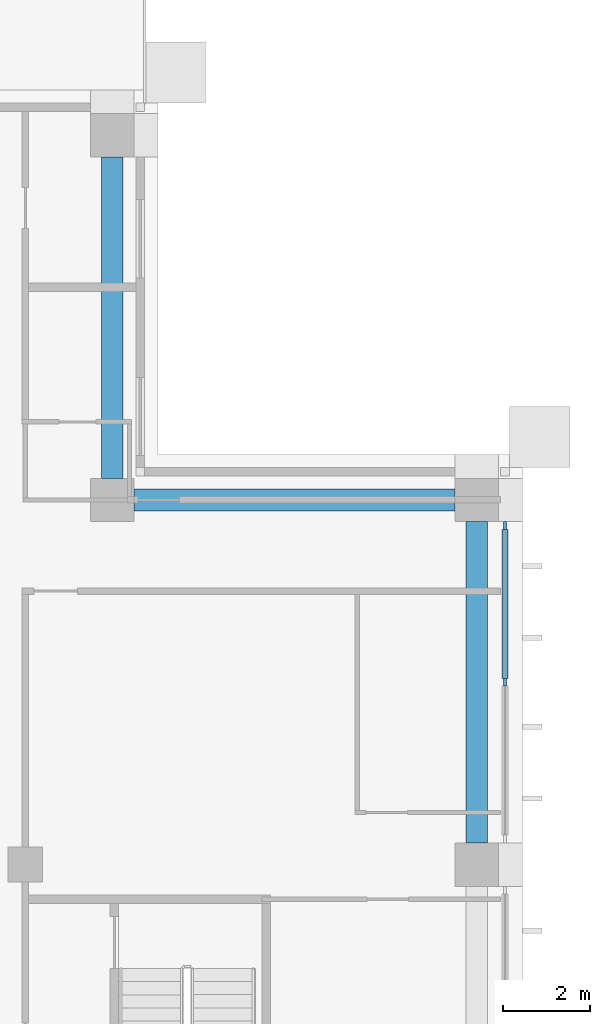
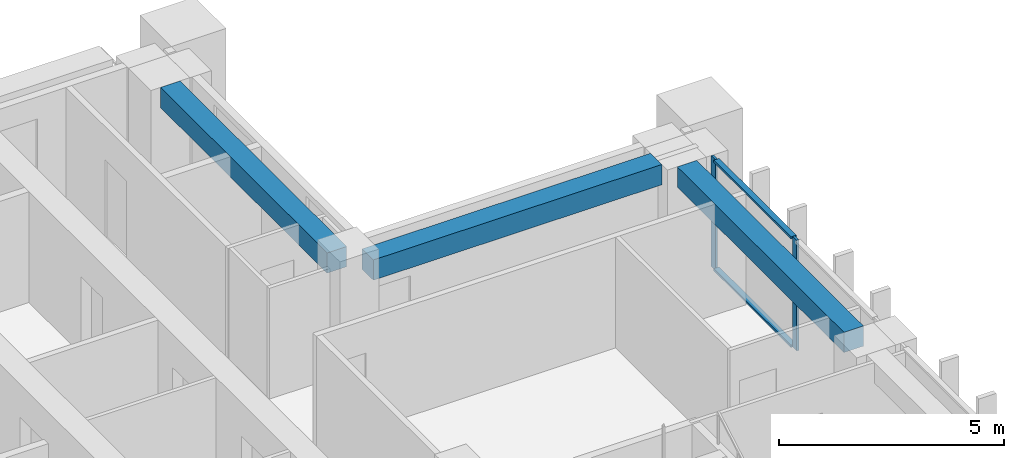
# One storey, part 7 of 19: 4 members, 3 beams, 1 element without a shape of its own.
"""IFC4 building model written with IfcOpenShell, lengths in metres."""

from ifc_helpers import new_model, si_unit, direction, frame, origin, origin_2d, place, context, subcontext, project, spatial, rectangle, extrude, material, material_profile, profile_set, type_object, element, aggregate, save


model = new_model("IFC4")

# Units and contexts
model_context = context("Model", 3, precision=1e-05, world=origin(), true_north=direction((0.0, 1.0)))
body_context = subcontext(model_context, "Body", "Model", "MODEL_VIEW")
ifc_project = project(units=[si_unit("LENGTHUNIT", "METRE"), si_unit("AREAUNIT", "SQUARE_METRE"), si_unit("VOLUMEUNIT", "CUBIC_METRE"), si_unit("PLANEANGLEUNIT", "RADIAN"), si_unit("MASSUNIT", "GRAM", prefix="KILO")], contexts=[model_context])

# Site, building, storey
site_placement = place(None, origin())
site = spatial("IfcSite", under=ifc_project, at=site_placement, CompositionType="ELEMENT")
building_placement = place(site_placement, origin())
building = spatial("IfcBuilding", under=site, at=building_placement, Name="Vermilion Ogive Tower", CompositionType="ELEMENT")
storey_placement = place(building_placement, frame((0.0, 0.0, 213.5)))
storey = spatial("IfcBuildingStorey", under=building, at=storey_placement, Name="L56", CompositionType="ELEMENT", Elevation=213.5)

# Curtain wall, members
ifc_material_1 = material(Name="Low-iron laminated glazing in aluminium frame", Category="aluminium")
curtain_wall_type = type_object("IfcCurtainWallType", Name="Curtain wall CW7", PredefinedType="NOTDEFINED", material=ifc_material_1)
curtain_wall_placement = place(storey_placement, origin())
curtain_wall = element("IfcCurtainWall", 1, at=curtain_wall_placement, inside=storey, type_object=curtain_wall_type, Name="Glazed skin E3", PredefinedType="NOTDEFINED")
ifc_material_2 = material(Name="Aluminium mullion", Category="aluminium")
ifc_material_profile_1 = material_profile(ifc_material_2, rectangle(XDim=0.06005859375, YDim=0.179931640625, at=origin_2d()), Name="AL 60x180")
ifc_profile_set_1 = profile_set([ifc_material_profile_1], Name="Aluminium mullion")
member_type_1 = type_object("IfcMemberType", Name="CW7 mullion 60x180", PredefinedType="MULLION", material=ifc_profile_set_1)
member_1_placement = place(storey_placement, frame((25.85009765625, 8.39990234375, 0.0), z_axis=(0.0, 0.0, 1.0), x_axis=(-1.0, 0.0, 0.0)))
member_1 = element("IfcMember", 2, at=member_1_placement, type_object=member_type_1, Name="CW7-E3 mullion 2", PredefinedType="MULLION", context=body_context, shape_type="SweptSolid", body=[
    extrude(rectangle(XDim=0.06005859375, YDim=0.179931640625, at=origin_2d()), origin(), (0.0, 0.0, 1.0), 3.0),
])
member_2_placement = place(storey_placement, frame((25.85009765625, 12.010009765625, 0.0), z_axis=(0.0, 0.0, 1.0), x_axis=(-1.0, 0.0, 0.0)))
member_2 = element("IfcMember", 3, at=member_2_placement, type_object=member_type_1, Name="CW7-E3 mullion 3", PredefinedType="MULLION", context=body_context, shape_type="SweptSolid", body=[
    extrude(rectangle(XDim=0.06005859375, YDim=0.179931640625, at=origin_2d()), origin(), (0.0, 0.0, 1.0), 3.0),
])
ifc_material_3 = material(Name="Aluminium transom", Category="aluminium")
ifc_material_profile_2 = material_profile(ifc_material_3, rectangle(XDim=0.139892578125, YDim=0.06005859375, at=origin_2d()), Name="AL 60x140")
ifc_profile_set_2 = profile_set([ifc_material_profile_2], Name="Aluminium transom")
member_type_2 = type_object("IfcMemberType", Name="CW7 transom 60x140", PredefinedType="USERDEFINED", material=ifc_profile_set_2)
member_3_placement = place(storey_placement, frame((25.85009765625, 8.489990234375, 0.030029296875), z_axis=(0.0, 1.0, 0.0), x_axis=(-1.0, 0.0, 0.0)))
member_3 = element("IfcMember", 4, at=member_3_placement, type_object=member_type_2, Name="CW7-E3 transom 2.1", ObjectType="TRANSOM", PredefinedType="USERDEFINED", context=body_context, shape_type="SweptSolid", body=[
    extrude(rectangle(XDim=0.139892578125, YDim=0.06005859375, at=origin_2d()), origin(), (0.0, 0.0, 1.0), 3.429931640625),
])
member_4_placement = place(storey_placement, frame((25.85009765625, 8.489990234375, 2.969970703125), z_axis=(0.0, 1.0, 0.0), x_axis=(-1.0, 0.0, 0.0)))
member_4 = element("IfcMember", 5, at=member_4_placement, type_object=member_type_2, Name="CW7-E3 transom 2.2", ObjectType="TRANSOM", PredefinedType="USERDEFINED", context=body_context, shape_type="SweptSolid", body=[
    extrude(rectangle(XDim=0.139892578125, YDim=0.06005859375, at=origin_2d()), origin(), (0.0, 0.0, 1.0), 3.429931640625),
])
aggregate(curtain_wall, [member_1, member_2, member_3, member_4])

# Beams
ifc_material_4 = material(Name="Concrete B45", Category="concrete")
ifc_material_profile_3 = material_profile(ifc_material_4, rectangle(XDim=0.5, YDim=0.550048828125, at=origin_2d()), Name="500 x 550")
ifc_profile_set_3 = profile_set([ifc_material_profile_3], Name="Concrete B45")
beam_type = type_object("IfcBeamType", Name="Edge beam 500 x 550 B45", PredefinedType="BEAM", material=ifc_profile_set_3)
beam_placement = place(storey_placement, frame((25.199951171875, 4.699951171875, 2.72509765625), z_axis=(0.0, 1.0, 0.0), x_axis=(-1.0, 0.0, 0.0)))
element("IfcBeam", 6, at=beam_placement, inside=storey, type_object=beam_type, Name="L56-EB-9", PredefinedType="BEAM", context=body_context, shape_type="SweptSolid", body=[
    extrude(rectangle(XDim=0.5, YDim=0.550048828125, at=origin_2d()), origin(), (0.0, 0.0, 1.0), 7.400146484375),
])
for number, where, z_axis, x_axis, name in (
    (7, (24.699951171875, 12.60009765625, 2.72509765625), (-1.0, 0.0, 0.0), (0.0, -1.0, 0.0), "L56-EB-10"),
    (8, (16.800048828125, 13.10009765625, 2.72509765625), (0.0, 1.0, 0.0), (-1.0, 0.0, 0.0), "L56-EB-11"),
):
    element("IfcBeam", number, at=place(storey_placement, frame(where, z_axis=z_axis, x_axis=x_axis)), inside=storey, type_object=beam_type, Name=name, PredefinedType="BEAM", context=body_context, shape_type="SweptSolid", body=[
        extrude(rectangle(XDim=0.5, YDim=0.550048828125, at=origin_2d()), origin(), (0.0, 0.0, 1.0), 7.39990234375),
    ])

save(model, "model.ifc")
